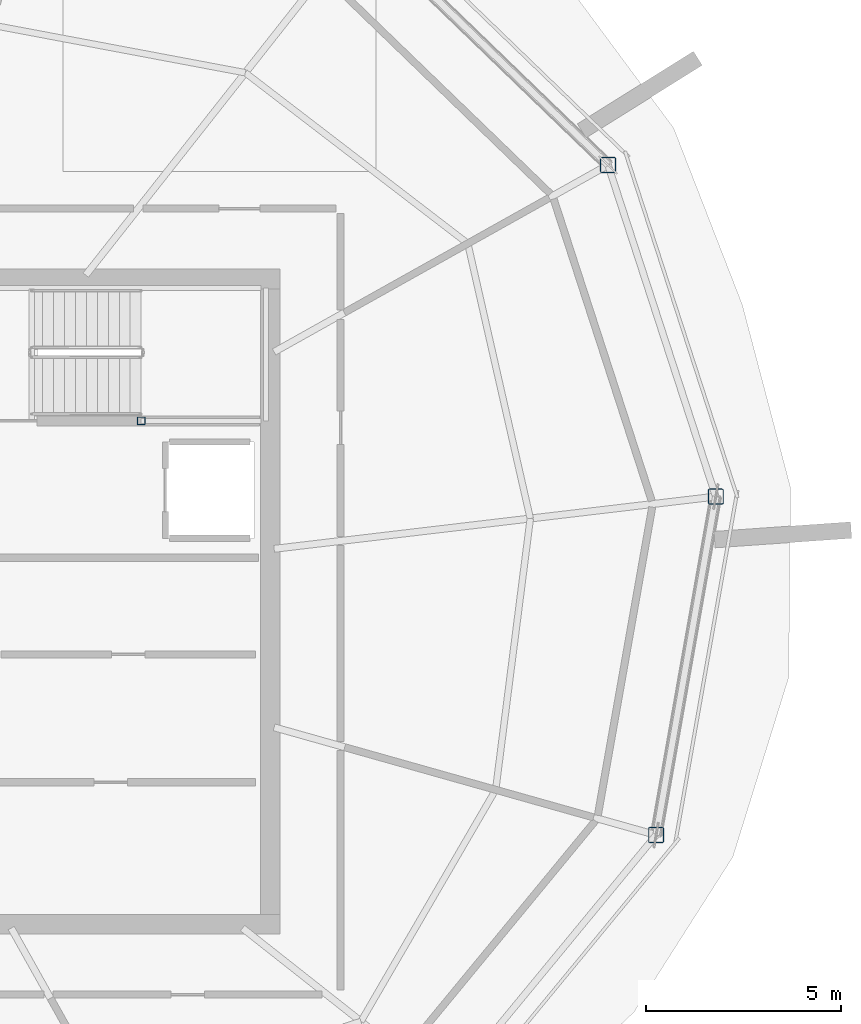
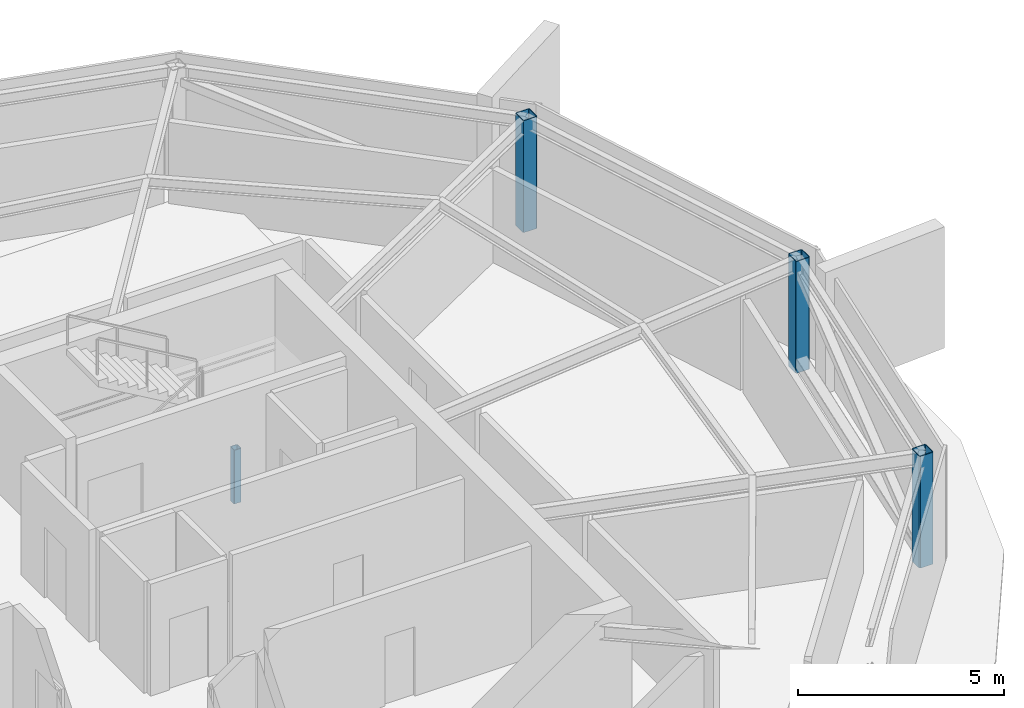
# One storey, part 3 of 10: 4 columns.
"""IFC4 building model written with IfcOpenShell, lengths in metres."""

from ifc_helpers import new_model, si_unit, direction, frame, origin, origin_2d, place, context, subcontext, project, spatial, hollow_rectangle, extrude, material, material_profile, profile_set, type_object, element, save


model = new_model("IFC4")

# Units and contexts
model_context = context("Model", 3, precision=1e-05, world=origin(), true_north=direction((0.0, 1.0)))
body_context = subcontext(model_context, "Body", "Model", "MODEL_VIEW")
ifc_project = project(units=[si_unit("LENGTHUNIT", "METRE"), si_unit("AREAUNIT", "SQUARE_METRE"), si_unit("VOLUMEUNIT", "CUBIC_METRE"), si_unit("PLANEANGLEUNIT", "RADIAN"), si_unit("MASSUNIT", "GRAM", prefix="KILO")], contexts=[model_context])

# Site, building, storey
site_placement = place(None, origin())
site = spatial("IfcSite", under=ifc_project, at=site_placement, CompositionType="ELEMENT")
building_placement = place(site_placement, origin())
building = spatial("IfcBuilding", under=site, at=building_placement, Name="Kazma Halo Residences", CompositionType="ELEMENT")
storey_placement = place(building_placement, frame((0.0, 0.0, 356.0)))
storey = spatial("IfcBuildingStorey", under=building, at=storey_placement, Name="L89", CompositionType="ELEMENT", Elevation=356.0)

# Columns
ifc_material = material(Name="Steel S355", Category="steel")
ifc_material_profile_1 = material_profile(ifc_material, hollow_rectangle(XDim=0.39990234375, YDim=0.39990234375, WallThickness=0.02001953125, InnerFilletRadius=0.02001953125, OuterFilletRadius=0.0400390625, at=origin_2d()), Name="SHS400x400x20")
ifc_profile_set_1 = profile_set([ifc_material_profile_1], Name="Steel S355")
column_type_1 = type_object("IfcColumnType", Name="COL-CROWN-SHS400", PredefinedType="COLUMN", material=ifc_profile_set_1)
for number, where, z_axis, x_axis, name in (
    (1, (67.940673828125, 53.167236328125, 0.0), (0.0, 0.0, 1.0), (1.0, 0.0, 0.0), "L89 CROWN FRAME perimeter column P01"),
    (2, (69.169921875, 36.029541015625, 0.0), (0.0, 0.0, 1.0), (1.0, 0.0, 0.0), "L89 CROWN FRAME perimeter column P15"),
    (3, (70.6962890625, 44.686279296875, 0.0), (0.0, 0.0, 1.0), (1.0, 0.0, 0.0), "L89 CROWN FRAME perimeter column P16"),
):
    element("IfcColumn", number, at=place(storey_placement, frame(where, z_axis=z_axis, x_axis=x_axis)), inside=storey, type_object=column_type_1, Name=name, PredefinedType="COLUMN", context=body_context, shape_type="SweptSolid", body=[
        extrude(hollow_rectangle(XDim=0.39990234375, YDim=0.39990234375, WallThickness=0.02001953125, InnerFilletRadius=0.02001953125, OuterFilletRadius=0.0400390625, at=origin_2d()), origin(), (0.0, 0.0, 1.0), 3.320068359375),
    ])
ifc_material_profile_2 = material_profile(ifc_material, hollow_rectangle(XDim=0.199951171875, YDim=0.199951171875, WallThickness=0.010009765625, InnerFilletRadius=0.010009765625, OuterFilletRadius=0.02001953125, at=origin_2d()), Name="SHS200x200x10")
ifc_profile_set_2 = profile_set([ifc_material_profile_2], Name="Steel S355")
column_type_2 = type_object("IfcColumnType", Name="COL-LP-SHS200", PredefinedType="COLUMN", material=ifc_profile_set_2)
column_placement = place(storey_placement, frame((56.0, 46.6201171875, 0.0), z_axis=(0.0, 0.0, 1.0), x_axis=(1.0, 0.0, 0.0)))
element("IfcColumn", 4, at=column_placement, inside=storey, type_object=column_type_2, Name="L89 ST-02 landing pilaster 1", PredefinedType="COLUMN", context=body_context, shape_type="SweptSolid", body=[
    extrude(hollow_rectangle(XDim=0.199951171875, YDim=0.199951171875, WallThickness=0.010009765625, InnerFilletRadius=0.010009765625, OuterFilletRadius=0.02001953125, at=origin_2d()), origin(), (0.0, 0.0, 1.0), 1.594970703125),
])

save(model, "model.ifc")
